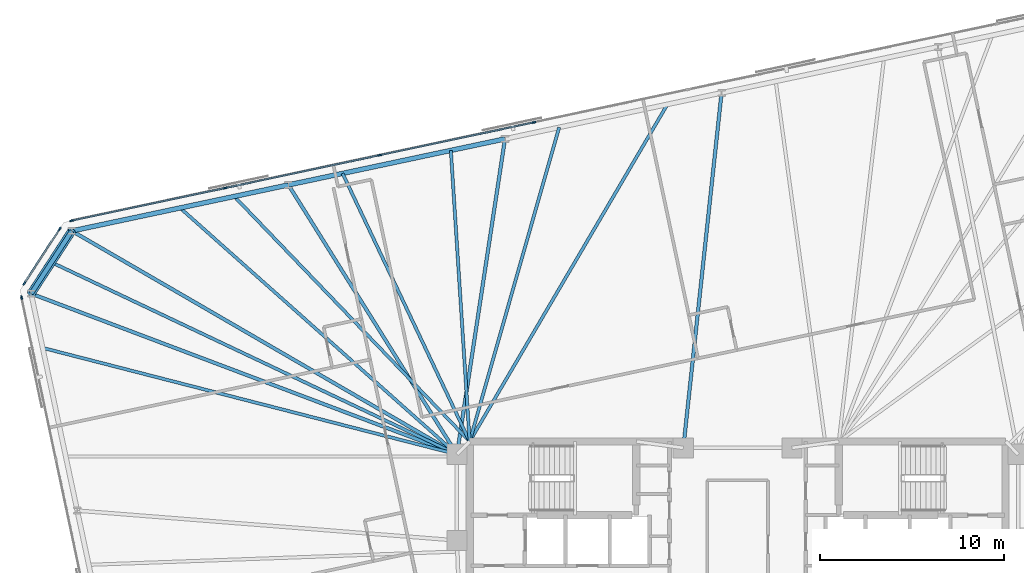
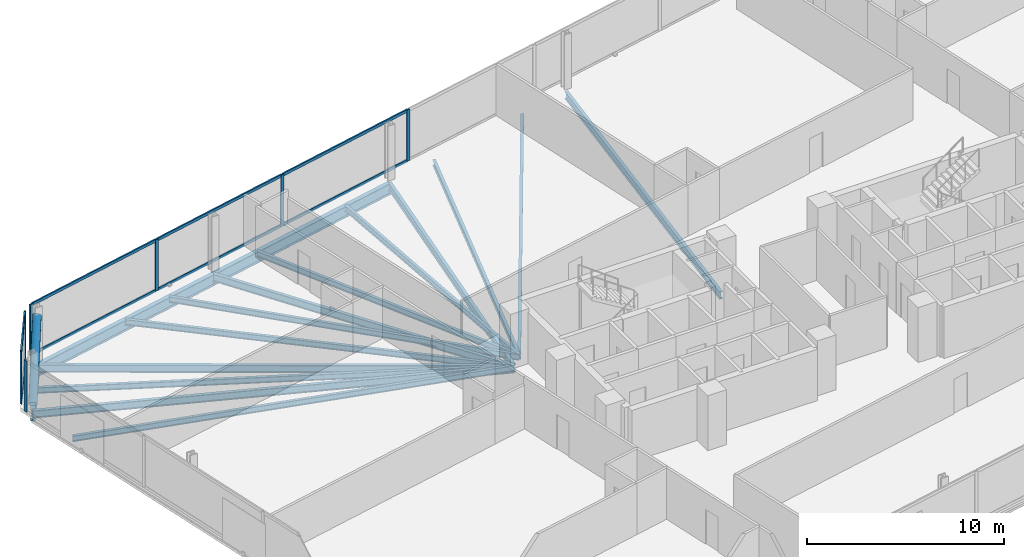
# One storey, part 9 of 19: 16 beams, 16 members, 3 elements without a shape of their own.
"""IFC4 building model written with IfcOpenShell, lengths in metres."""

from ifc_helpers import new_model, si_unit, direction, frame, origin, origin_2d, place, context, subcontext, project, spatial, rectangle, hollow_circle, i_section, extrude, material, material_profile, profile_set, type_object, element, aggregate, save


model = new_model("IFC4")

# Units and contexts
model_context = context("Model", 3, precision=1e-05, world=origin(), true_north=direction((0.0, 1.0)))
body_context = subcontext(model_context, "Body", "Model", "MODEL_VIEW")
ifc_project = project(units=[si_unit("LENGTHUNIT", "METRE"), si_unit("AREAUNIT", "SQUARE_METRE"), si_unit("VOLUMEUNIT", "CUBIC_METRE"), si_unit("PLANEANGLEUNIT", "RADIAN"), si_unit("MASSUNIT", "GRAM", prefix="KILO")], contexts=[model_context])

# Site, building, storey
site_placement = place(None, origin())
site = spatial("IfcSite", under=ifc_project, at=site_placement, CompositionType="ELEMENT")
building_placement = place(site_placement, origin())
building = spatial("IfcBuilding", under=site, at=building_placement, Name="Menara Jurai Vektor", CompositionType="ELEMENT")
storey_placement = place(building_placement, frame((0.0, 0.0, 192.199951171875)))
storey = spatial("IfcBuildingStorey", under=building, at=storey_placement, Name="L50", CompositionType="ELEMENT", Elevation=192.199951171875)

# Curtain wall, members
ifc_material_1 = material(Name="Anodised Pale Aluminium & Low-E Double Glazing", Category="aluminium")
curtain_wall_type = type_object("IfcCurtainWallType", Name="CW-BLK3", PredefinedType="NOTDEFINED", material=ifc_material_1)
curtain_wall_1_placement = place(storey_placement, origin())
curtain_wall_1 = element("IfcCurtainWall", 1, at=curtain_wall_1_placement, inside=storey, type_object=curtain_wall_type, Name="Unitised Curtain Wall L50 F05", PredefinedType="NOTDEFINED")
ifc_material_2 = material(Name="Anodised Pale Aluminium Mullion", Category="aluminium")
ifc_material_profile_1 = material_profile(ifc_material_2, rectangle(XDim=0.0849609375, YDim=0.205078125, at=origin_2d()), Name="ALU MUL 85x205")
ifc_profile_set_1 = profile_set([ifc_material_profile_1], Name="Anodised Pale Aluminium Mullion")
member_type_1 = type_object("IfcMemberType", Name="CW-BLK3-MUL", PredefinedType="MULLION", material=ifc_profile_set_1)
member_1_placement = place(storey_placement, frame((-11.06494140625, 22.9384765625, 0.0), z_axis=(0.0, 0.0, 1.0), x_axis=(0.207911344156, -0.978147674419, 0.0)))
member_1 = element("IfcMember", 2, at=member_1_placement, type_object=member_type_1, Name="CW-03 mullion 5", PredefinedType="MULLION", context=body_context, shape_type="SweptSolid", body=[
    extrude(rectangle(XDim=0.0849609375, YDim=0.205078125, at=origin_2d()), origin(), (0.0, 0.0, 1.0), 3.175048828125),
])
member_2_placement = place(storey_placement, frame((-19.45458984375, 21.1552734375, 0.0), z_axis=(0.0, 0.0, 1.0), x_axis=(0.207911344156, -0.978147674419, 0.0)))
member_2 = element("IfcMember", 3, at=member_2_placement, type_object=member_type_1, Name="CW-03 mullion 6", PredefinedType="MULLION", context=body_context, shape_type="SweptSolid", body=[
    extrude(rectangle(XDim=0.0849609375, YDim=0.205078125, at=origin_2d()), origin(), (0.0, 0.0, 1.0), 3.175048828125),
])
member_3_placement = place(storey_placement, frame((-27.844482421875, 19.3720703125, 0.0), z_axis=(0.0, 0.0, 1.0), x_axis=(0.207911344156, -0.978147674419, 0.0)))
member_3 = element("IfcMember", 4, at=member_3_placement, type_object=member_type_1, Name="CW-03 mullion 7", PredefinedType="MULLION", context=body_context, shape_type="SweptSolid", body=[
    extrude(rectangle(XDim=0.0849609375, YDim=0.205078125, at=origin_2d()), origin(), (0.0, 0.0, 1.0), 3.175048828125),
])
member_4_placement = place(storey_placement, frame((-36.192626953125, 17.59765625, 0.0), z_axis=(0.0, 0.0, 1.0), x_axis=(0.207911344156, -0.978147674419, 0.0)))
member_4 = element("IfcMember", 5, at=member_4_placement, type_object=member_type_1, Name="CW-03 mullion 8", PredefinedType="MULLION", context=body_context, shape_type="SweptSolid", body=[
    extrude(rectangle(XDim=0.0849609375, YDim=0.205078125, at=origin_2d()), origin(), (0.0, 0.0, 1.0), 3.175048828125),
])

curtain_wall_2_placement = place(storey_placement, origin())
curtain_wall_2 = element("IfcCurtainWall", 6, at=curtain_wall_2_placement, inside=storey, type_object=curtain_wall_type, Name="Unitised Curtain Wall L50 F06", PredefinedType="NOTDEFINED")
member_5_placement = place(storey_placement, frame((-36.8359375, 17.1552734375, 0.0), z_axis=(0.0, 0.0, 1.0), x_axis=(0.838684361415, -0.544617794346, 0.0)))
member_5 = element("IfcMember", 7, at=member_5_placement, type_object=member_type_1, Name="CW-03 mullion 1", PredefinedType="MULLION", context=body_context, shape_type="SweptSolid", body=[
    extrude(rectangle(XDim=0.0849609375, YDim=0.205078125, at=origin_2d()), origin(), (0.0, 0.0, 1.0), 3.175048828125),
])
member_6_placement = place(storey_placement, frame((-38.763427734375, 14.187255859375, 0.0), z_axis=(0.0, 0.0, 1.0), x_axis=(0.838684361415, -0.544617794346, 0.0)))
member_6 = element("IfcMember", 8, at=member_6_placement, type_object=member_type_1, Name="CW-03 mullion 2", PredefinedType="MULLION", context=body_context, shape_type="SweptSolid", body=[
    extrude(rectangle(XDim=0.0849609375, YDim=0.205078125, at=origin_2d()), origin(), (0.0, 0.0, 1.0), 3.175048828125),
])

# Curtain wall, member
curtain_wall_3_placement = place(storey_placement, origin())
curtain_wall_3 = element("IfcCurtainWall", 9, at=curtain_wall_3_placement, inside=storey, type_object=curtain_wall_type, Name="Unitised Curtain Wall L50 F07", PredefinedType="NOTDEFINED")
member_7_placement = place(storey_placement, frame((-38.90576171875, 13.419677734375, 0.0), z_axis=(0.0, 0.0, 1.0), x_axis=(0.978147883949, 0.20791035839, 0.0)))
member_7 = element("IfcMember", 10, at=member_7_placement, type_object=member_type_1, Name="CW-03 mullion 1", PredefinedType="MULLION", context=body_context, shape_type="SweptSolid", body=[
    extrude(rectangle(XDim=0.0849609375, YDim=0.205078125, at=origin_2d()), origin(), (0.0, 0.0, 1.0), 3.175048828125),
])
aggregate(curtain_wall_3, [member_7])

# Member
ifc_material_3 = material(Name="Anodised Pale Aluminium Transom", Category="aluminium")
ifc_material_profile_2 = material_profile(ifc_material_3, rectangle(XDim=0.0849609375, YDim=0.175048828125, at=origin_2d()), Name="ALU TRN 85x175")
ifc_profile_set_2 = profile_set([ifc_material_profile_2], Name="Anodised Pale Aluminium Transom")
member_type_2 = type_object("IfcMemberType", Name="CW-BLK3-TRN", PredefinedType="USERDEFINED", material=ifc_profile_set_2)
member_8_placement = place(storey_placement, frame((-11.1064453125, 22.9296875, 0.04248046875), z_axis=(-0.978147743708, -0.207911018178, 0.0), x_axis=(0.207911018178, -0.978147743708, 0.0)))
member_8 = element("IfcMember", 11, at=member_8_placement, type_object=member_type_2, Name="CW-03 transom 5.1", ObjectType="TRANSOM", PredefinedType="USERDEFINED", context=body_context, shape_type="SweptSolid", body=[
    extrude(rectangle(XDim=0.0849609375, YDim=0.175048828125, at=origin_2d()), origin(), (0.0, 0.0, 1.0), 8.4921875),
])

member_9_placement = place(storey_placement, frame((-11.1064453125, 22.9296875, 3.132568359375), z_axis=(-0.978147743708, -0.207911018178, 0.0), x_axis=(0.207911018178, -0.978147743708, 0.0)))
member_9 = element("IfcMember", 12, at=member_9_placement, type_object=member_type_2, Name="CW-03 transom 5.2", ObjectType="TRANSOM", PredefinedType="USERDEFINED", context=body_context, shape_type="SweptSolid", body=[
    extrude(rectangle(XDim=0.0849609375, YDim=0.175048828125, at=origin_2d()), origin(), (0.0, 0.0, 1.0), 8.4921875),
])

member_10_placement = place(storey_placement, frame((-19.496337890625, 21.146484375, 0.04248046875), z_axis=(-0.978146500933, -0.207916864907, 0.0), x_axis=(0.207916864907, -0.978146500933, 0.0)))
member_10 = element("IfcMember", 13, at=member_10_placement, type_object=member_type_2, Name="CW-03 transom 6.1", ObjectType="TRANSOM", PredefinedType="USERDEFINED", context=body_context, shape_type="SweptSolid", body=[
    extrude(rectangle(XDim=0.0849609375, YDim=0.175048828125, at=origin_2d()), origin(), (0.0, 0.0, 1.0), 8.491943359375),
])

member_11_placement = place(storey_placement, frame((-19.496337890625, 21.146484375, 3.132568359375), z_axis=(-0.978146500933, -0.207916864907, 0.0), x_axis=(0.207916864907, -0.978146500933, 0.0)))
member_11 = element("IfcMember", 14, at=member_11_placement, type_object=member_type_2, Name="CW-03 transom 6.2", ObjectType="TRANSOM", PredefinedType="USERDEFINED", context=body_context, shape_type="SweptSolid", body=[
    extrude(rectangle(XDim=0.0849609375, YDim=0.175048828125, at=origin_2d()), origin(), (0.0, 0.0, 1.0), 8.491943359375),
])

member_12_placement = place(storey_placement, frame((-27.885986328125, 19.363037109375, 0.04248046875), z_axis=(-0.978151580361, -0.207892967261, 0.0), x_axis=(0.207892967261, -0.978151580361, 0.0)))
member_12 = element("IfcMember", 15, at=member_12_placement, type_object=member_type_2, Name="CW-03 transom 7.1", ObjectType="TRANSOM", PredefinedType="USERDEFINED", context=body_context, shape_type="SweptSolid", body=[
    extrude(rectangle(XDim=0.0849609375, YDim=0.175048828125, at=origin_2d()), origin(), (0.0, 0.0, 1.0), 8.449462890625),
])

member_13_placement = place(storey_placement, frame((-27.885986328125, 19.363037109375, 3.132568359375), z_axis=(-0.978151580361, -0.207892967261, 0.0), x_axis=(0.207892967261, -0.978151580361, 0.0)))
member_13 = element("IfcMember", 16, at=member_13_placement, type_object=member_type_2, Name="CW-03 transom 7.2", ObjectType="TRANSOM", PredefinedType="USERDEFINED", context=body_context, shape_type="SweptSolid", body=[
    extrude(rectangle(XDim=0.0849609375, YDim=0.175048828125, at=origin_2d()), origin(), (0.0, 0.0, 1.0), 8.449462890625),
])

aggregate(curtain_wall_1, [member_1, member_2, member_3, member_4, member_8, member_9, member_10, member_11, member_12, member_13])

member_14_placement = place(storey_placement, frame((-36.859130859375, 17.11962890625, 0.04248046875), z_axis=(-0.54462804274, -0.83867770631, 0.0), x_axis=(0.83867770631, -0.54462804274, 0.0)))
member_14 = element("IfcMember", 17, at=member_14_placement, type_object=member_type_2, Name="CW-03 transom 1.1", ObjectType="TRANSOM", PredefinedType="USERDEFINED", context=body_context, shape_type="SweptSolid", body=[
    extrude(rectangle(XDim=0.0849609375, YDim=0.175048828125, at=origin_2d()), origin(), (0.0, 0.0, 1.0), 3.453857421875),
])

member_15_placement = place(storey_placement, frame((-36.859130859375, 17.11962890625, 3.132568359375), z_axis=(-0.54462804274, -0.83867770631, 0.0), x_axis=(0.83867770631, -0.54462804274, 0.0)))
member_15 = element("IfcMember", 18, at=member_15_placement, type_object=member_type_2, Name="CW-03 transom 1.2", ObjectType="TRANSOM", PredefinedType="USERDEFINED", context=body_context, shape_type="SweptSolid", body=[
    extrude(rectangle(XDim=0.0849609375, YDim=0.175048828125, at=origin_2d()), origin(), (0.0, 0.0, 1.0), 3.453857421875),
])

aggregate(curtain_wall_2, [member_5, member_6, member_14, member_15])

# Beams
ifc_material_4 = material(Name="Steel S355", Category="steel")
ifc_material_profile_3 = material_profile(ifc_material_4, i_section(OverallWidth=0.19091796875, OverallDepth=0.4599609375, WebThickness=0.010009765625, FlangeThickness=0.01611328125, FilletRadius=0.010009765625, at=origin_2d()), Name="UKB 457x191x82")
ifc_profile_set_3 = profile_set([ifc_material_profile_3], Name="Steel S355")
beam_type_1 = type_object("IfcBeamType", Name="STR-BM-457", PredefinedType="BEAM", material=ifc_profile_set_3)
beam_1_placement = place(storey_placement, frame((-0.87158203125, 24.54296875, -0.454833984375), z_axis=(-0.107107067506, -0.994247492373, 0.0), x_axis=(0.994247492373, -0.107107067506, 0.0)))
element("IfcBeam", 19, at=beam_1_placement, inside=storey, type_object=beam_type_1, Name="Radial Floor Girder L50-N3", PredefinedType="BEAM", context=body_context, shape_type="SweptSolid", body=[
    extrude(i_section(OverallWidth=0.19091796875, OverallDepth=0.4599609375, WebThickness=0.010009765625, FlangeThickness=0.01611328125, FilletRadius=0.010009765625, at=origin_2d()), origin(), (0.0, 0.0, 1.0), 19.404541015625),
])
beam_2_placement = place(storey_placement, frame((-12.639892578125, 22.04150390625, -0.454833984375), z_axis=(-0.150532344322, -0.988605084608, 0.0), x_axis=(0.988605084608, -0.150532344322, 0.0)))
element("IfcBeam", 20, at=beam_2_placement, inside=storey, type_object=beam_type_1, Name="Radial Floor Girder L50-N4", PredefinedType="BEAM", context=body_context, shape_type="SweptSolid", body=[
    extrude(i_section(OverallWidth=0.19091796875, OverallDepth=0.4599609375, WebThickness=0.010009765625, FlangeThickness=0.01611328125, FilletRadius=0.010009765625, at=origin_2d()), origin(), (0.0, 0.0, 1.0), 17.339111328125),
])
beam_3_placement = place(storey_placement, frame((-24.408203125, 19.5400390625, -0.454833984375), z_axis=(0.53033693414, -0.847786963976, 0.0), x_axis=(0.847786963976, 0.53033693414, 0.0)))
element("IfcBeam", 21, at=beam_3_placement, inside=storey, type_object=beam_type_1, Name="Radial Floor Girder L50-N5", PredefinedType="BEAM", context=body_context, shape_type="SweptSolid", body=[
    extrude(i_section(OverallWidth=0.19091796875, OverallDepth=0.4599609375, WebThickness=0.010009765625, FlangeThickness=0.01611328125, FilletRadius=0.010009765625, at=origin_2d()), origin(), (0.0, 0.0, 1.0), 17.2685546875),
])
beam_4_placement = place(storey_placement, frame((-36.17626953125, 17.038818359375, -0.454833984375), z_axis=(0.86500105453, -0.50177004261, 0.0), x_axis=(0.50177004261, 0.86500105453, 0.0)))
element("IfcBeam", 22, at=beam_4_placement, inside=storey, type_object=beam_type_1, Name="Radial Floor Girder L50-N6", PredefinedType="BEAM", context=body_context, shape_type="SweptSolid", body=[
    extrude(i_section(OverallWidth=0.19091796875, OverallDepth=0.4599609375, WebThickness=0.010009765625, FlangeThickness=0.01611328125, FilletRadius=0.010009765625, at=origin_2d()), origin(), (0.0, 0.0, 1.0), 24.192138671875),
])
beam_5_placement = place(storey_placement, frame((-38.388671875, 13.632080078125, -0.454833984375), z_axis=(0.935593658977, -0.353078610626, 0.0), x_axis=(0.353078610626, 0.935593658977, 0.0)))
element("IfcBeam", 23, at=beam_5_placement, inside=storey, type_object=beam_type_1, Name="Radial Floor Girder L50-W1", PredefinedType="BEAM", context=body_context, shape_type="SweptSolid", body=[
    extrude(i_section(OverallWidth=0.19091796875, OverallDepth=0.4599609375, WebThickness=0.010009765625, FlangeThickness=0.01611328125, FilletRadius=0.010009765625, at=origin_2d()), origin(), (0.0, 0.0, 1.0), 24.7314453125),
])

# Member
ifc_material_5 = material(Name="Steel S460", Category="steel")
ifc_material_profile_4 = material_profile(ifc_material_5, hollow_circle(Radius=0.228515625, WallThickness=0.01611328125, at=origin_2d()), Name="CHS 457x16")
ifc_profile_set_4 = profile_set([ifc_material_profile_4], Name="Steel S460")
member_type_3 = type_object("IfcMemberType", Name="STR-BR-457", PredefinedType="BRACE", material=ifc_profile_set_4)
member_16_placement = place(storey_placement, frame((-38.388671875, 13.632080078125, 0.150146484375), z_axis=(0.454900425841, 0.700422163072, 0.549976723186), x_axis=(-0.838648168484, 0.544673525608, 0.0)))
element("IfcMember", 24, at=member_16_placement, inside=storey, type_object=member_type_3, Name="Exoskeleton Corner Brace L50-3", PredefinedType="BRACE", context=body_context, shape_type="SweptSolid", body=[
    extrude(hollow_circle(Radius=0.228515625, WallThickness=0.01611328125, at=origin_2d()), origin(), (0.0, 0.0, 1.0), 4.863525390625),
])

# Beams
ifc_material_profile_5 = material_profile(ifc_material_4, i_section(OverallWidth=0.172119140625, OverallDepth=0.35498046875, WebThickness=0.007080078125, FlangeThickness=0.011962890625, FilletRadius=0.010009765625, at=origin_2d()), Name="UKB 356x171x51")
ifc_profile_set_5 = profile_set([ifc_material_profile_5], Name="Steel S355")
beam_type_2 = type_object("IfcBeamType", Name="STR-JS-356", PredefinedType="JOIST", material=ifc_profile_set_5)
beam_6_placement = place(storey_placement, frame((-3.813720703125, 23.91748046875, -0.40234375), z_axis=(-0.506019514775, -0.862522029091, 0.0), x_axis=(0.862522029091, -0.506019514775, 0.0)))
element("IfcBeam", 25, at=beam_6_placement, inside=storey, type_object=beam_type_2, Name="Radial Secondary Floor Joist L50-JS22", PredefinedType="JOIST", context=body_context, shape_type="SweptSolid", body=[
    extrude(i_section(OverallWidth=0.172119140625, OverallDepth=0.35498046875, WebThickness=0.007080078125, FlangeThickness=0.011962890625, FilletRadius=0.010009765625, at=origin_2d()), origin(), (0.0, 0.0, 1.0), 21.237060546875),
])
beam_7_placement = place(storey_placement, frame((-9.69775390625, 22.666748046875, -0.40234375), z_axis=(-0.273997863708, -0.961730300387, 0.0), x_axis=(0.961730300387, -0.273997863708, 0.0)))
element("IfcBeam", 26, at=beam_7_placement, inside=storey, type_object=beam_type_2, Name="Radial Secondary Floor Joist L50-JS23", PredefinedType="JOIST", context=body_context, shape_type="SweptSolid", body=[
    extrude(i_section(OverallWidth=0.172119140625, OverallDepth=0.35498046875, WebThickness=0.007080078125, FlangeThickness=0.011962890625, FilletRadius=0.010009765625, at=origin_2d()), origin(), (0.0, 0.0, 1.0), 17.745849609375),
])
beam_8_placement = place(storey_placement, frame((-15.581787109375, 21.416015625, -0.40234375), z_axis=(0.064466897528, -0.997919846041, 0.0), x_axis=(0.997919846041, 0.064466897528, 0.0)))
element("IfcBeam", 27, at=beam_8_placement, inside=storey, type_object=beam_type_2, Name="Radial Secondary Floor Joist L50-JS24", PredefinedType="JOIST", context=body_context, shape_type="SweptSolid", body=[
    extrude(i_section(OverallWidth=0.172119140625, OverallDepth=0.35498046875, WebThickness=0.007080078125, FlangeThickness=0.011962890625, FilletRadius=0.010009765625, at=origin_2d()), origin(), (0.0, 0.0, 1.0), 15.848876953125),
])
beam_9_placement = place(storey_placement, frame((-21.466064453125, 20.165283203125, -0.40234375), z_axis=(0.428426167333, -0.903576792057, 0.0), x_axis=(0.903576792057, 0.428426167333, 0.0)))
element("IfcBeam", 28, at=beam_9_placement, inside=storey, type_object=beam_type_2, Name="Radial Secondary Floor Joist L50-JS25", PredefinedType="JOIST", context=body_context, shape_type="SweptSolid", body=[
    extrude(i_section(OverallWidth=0.172119140625, OverallDepth=0.35498046875, WebThickness=0.007080078125, FlangeThickness=0.011962890625, FilletRadius=0.010009765625, at=origin_2d()), origin(), (0.0, 0.0, 1.0), 16.119384765625),
])
beam_10_placement = place(storey_placement, frame((-27.35009765625, 18.914794921875, -0.40234375), z_axis=(0.692755307066, -0.721172714772, 0.0), x_axis=(0.721172714772, 0.692755307066, 0.0)))
element("IfcBeam", 29, at=beam_10_placement, inside=storey, type_object=beam_type_2, Name="Radial Secondary Floor Joist L50-JS26", PredefinedType="JOIST", context=body_context, shape_type="SweptSolid", body=[
    extrude(i_section(OverallWidth=0.172119140625, OverallDepth=0.35498046875, WebThickness=0.007080078125, FlangeThickness=0.011962890625, FilletRadius=0.010009765625, at=origin_2d()), origin(), (0.0, 0.0, 1.0), 18.462646484375),
])
beam_11_placement = place(storey_placement, frame((-30.292236328125, 18.289306640625, -0.40234375), z_axis=(0.746952302948, -0.664877625673, 0.0), x_axis=(0.664877625673, 0.746952302948, 0.0)))
element("IfcBeam", 30, at=beam_11_placement, inside=storey, type_object=beam_type_2, Name="Radial Secondary Floor Joist L50-JS27", PredefinedType="JOIST", context=body_context, shape_type="SweptSolid", body=[
    extrude(i_section(OverallWidth=0.172119140625, OverallDepth=0.35498046875, WebThickness=0.007080078125, FlangeThickness=0.011962890625, FilletRadius=0.010009765625, at=origin_2d()), origin(), (0.0, 0.0, 1.0), 20.13818359375),
])
beam_12_placement = place(storey_placement, frame((-37.282470703125, 15.33544921875, -0.40234375), z_axis=(0.903751908448, -0.428056641085, 0.0), x_axis=(0.428056641085, 0.903751908448, 0.0)))
element("IfcBeam", 31, at=beam_12_placement, inside=storey, type_object=beam_type_2, Name="Radial Secondary Floor Joist L50-JS28", PredefinedType="JOIST", context=body_context, shape_type="SweptSolid", body=[
    extrude(i_section(OverallWidth=0.172119140625, OverallDepth=0.35498046875, WebThickness=0.007080078125, FlangeThickness=0.011962890625, FilletRadius=0.010009765625, at=origin_2d()), origin(), (0.0, 0.0, 1.0), 24.37890625),
])
beam_13_placement = place(storey_placement, frame((-37.76220703125, 10.68505859375, -0.40234375), z_axis=(0.968531283953, -0.248891848005, 0.0), x_axis=(0.248891848005, 0.968531283953, 0.0)))
element("IfcBeam", 32, at=beam_13_placement, inside=storey, type_object=beam_type_2, Name="Radial Secondary Floor Joist L50-JS29", PredefinedType="JOIST", context=body_context, shape_type="SweptSolid", body=[
    extrude(i_section(OverallWidth=0.172119140625, OverallDepth=0.35498046875, WebThickness=0.007080078125, FlangeThickness=0.011962890625, FilletRadius=0.010009765625, at=origin_2d()), origin(), (0.0, 0.0, 1.0), 23.24365234375),
])
ifc_material_profile_6 = material_profile(ifc_material_5, i_section(OverallWidth=0.256103515625, OverallDepth=0.693115234375, WebThickness=0.013916015625, FlangeThickness=0.02392578125, FilletRadius=0.014892578125, at=origin_2d()), Name="UKB 686x254x170")
ifc_profile_set_6 = profile_set([ifc_material_profile_6], Name="Steel S460")
beam_type_3 = type_object("IfcBeamType", Name="STR-SP-686", PredefinedType="SPANDREL", material=ifc_profile_set_6)
beam_14_placement = place(storey_placement, frame((-12.639892578125, 22.04150390625, -0.571533203125), z_axis=(-0.978147039247, -0.207914332389, 0.0), x_axis=(0.207914332389, -0.978147039247, 0.0)))
element("IfcBeam", 33, at=beam_14_placement, inside=storey, type_object=beam_type_3, Name="Exoskeleton Spandrel Beam L50-14", PredefinedType="SPANDREL", context=body_context, shape_type="SweptSolid", body=[
    extrude(i_section(OverallWidth=0.256103515625, OverallDepth=0.693115234375, WebThickness=0.013916015625, FlangeThickness=0.02392578125, FilletRadius=0.014892578125, at=origin_2d()), origin(), (0.0, 0.0, 1.0), 12.03125),
])
beam_15_placement = place(storey_placement, frame((-24.408203125, 19.5400390625, -0.571533203125), z_axis=(-0.978150288855, -0.207899043801, 0.0), x_axis=(0.207899043801, -0.978150288855, 0.0)))
element("IfcBeam", 34, at=beam_15_placement, inside=storey, type_object=beam_type_3, Name="Exoskeleton Spandrel Beam L50-15", PredefinedType="SPANDREL", context=body_context, shape_type="SweptSolid", body=[
    extrude(i_section(OverallWidth=0.256103515625, OverallDepth=0.693115234375, WebThickness=0.013916015625, FlangeThickness=0.02392578125, FilletRadius=0.014892578125, at=origin_2d()), origin(), (0.0, 0.0, 1.0), 12.031005859375),
])
beam_16_placement = place(storey_placement, frame((-36.17626953125, 17.038818359375, -0.571533203125), z_axis=(-0.544646071268, -0.838665998507, 0.0), x_axis=(0.838665998507, -0.544646071268, 0.0)))
element("IfcBeam", 35, at=beam_16_placement, inside=storey, type_object=beam_type_3, Name="Exoskeleton Spandrel Beam L50-16", PredefinedType="SPANDREL", context=body_context, shape_type="SweptSolid", body=[
    extrude(i_section(OverallWidth=0.256103515625, OverallDepth=0.693115234375, WebThickness=0.013916015625, FlangeThickness=0.02392578125, FilletRadius=0.014892578125, at=origin_2d()), origin(), (0.0, 0.0, 1.0), 4.06201171875),
])

save(model, "model.ifc")
